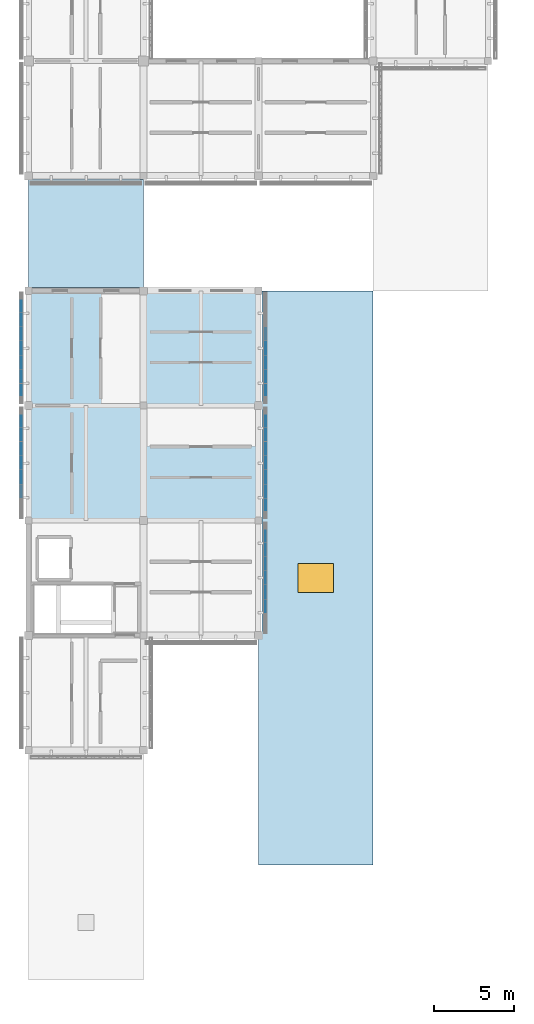
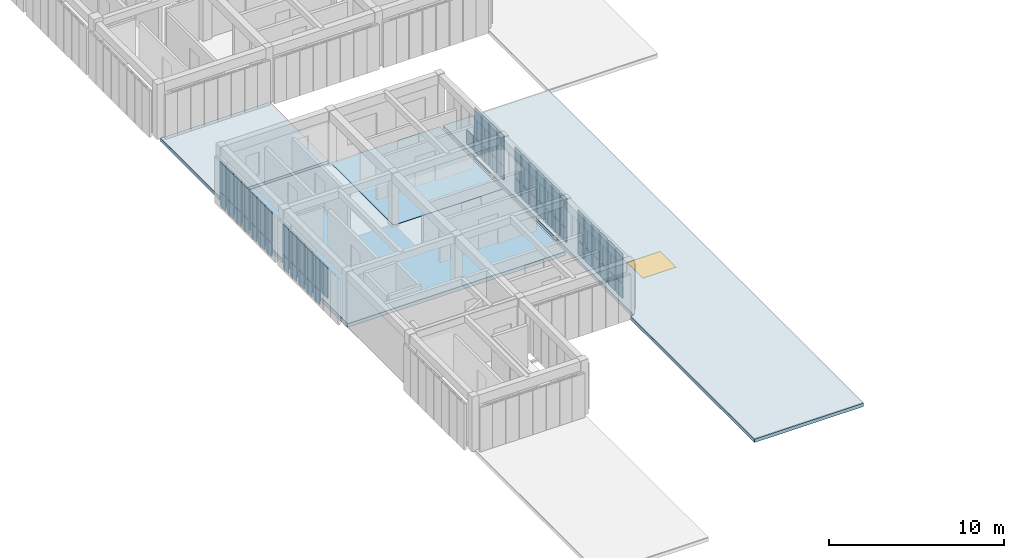
# One storey, part 36 of 67: 60 plates, 4 slabs, 1 window, 1 opening, 5 elements without a shape of their own.
"""IFC4 building model written with IfcOpenShell, lengths in metres."""

from ifc_helpers import new_model, si_unit, direction, frame, origin, origin_2d, place, context, subcontext, project, spatial, polyline, rectangle, outline, extrude, material, layer, layer_set, type_object, element, fill, aggregate, save


model = new_model("IFC4")

# Units and contexts
model_context = context("Model", 3, precision=1e-05, world=origin(), true_north=direction((0.0, 1.0)))
body_context = subcontext(model_context, "Body", "Model", "MODEL_VIEW")
ifc_project = project(units=[si_unit("LENGTHUNIT", "METRE"), si_unit("AREAUNIT", "SQUARE_METRE"), si_unit("VOLUMEUNIT", "CUBIC_METRE"), si_unit("PLANEANGLEUNIT", "RADIAN"), si_unit("MASSUNIT", "GRAM", prefix="KILO")], contexts=[model_context])

# Site, building, storey
site_placement = place(None, origin())
site = spatial("IfcSite", under=ifc_project, at=site_placement, CompositionType="ELEMENT")
building_placement = place(site_placement, origin())
building = spatial("IfcBuilding", under=site, at=building_placement, Name="Aldebral Square Health Centre", CompositionType="ELEMENT")
storey_placement = place(building_placement, frame((0.0, 0.0, 13.5)))
storey = spatial("IfcBuildingStorey", under=building, at=storey_placement, Name="L03", CompositionType="ELEMENT", Elevation=13.5)

# Curtain wall, plates
ifc_material_1 = material(Name="Aluminium and low-E solar glass", Category="aluminium")
curtain_wall_type = type_object("IfcCurtainWallType", Name="CW-FIN-SYS", PredefinedType="USERDEFINED", material=ifc_material_1)
curtain_wall_1_placement = place(storey_placement, origin())
curtain_wall_1 = element("IfcCurtainWall", 1, at=curtain_wall_1_placement, inside=storey, type_object=curtain_wall_type, Name="L03 V6 finned curtain wall L03-V6-01-04-E", ObjectType="SOLAR_CURTAIN_WALL", PredefinedType="USERDEFINED")
ifc_material_2 = material(Name="Solar-control low-E double glass", Category="glass")
ifc_layer_1 = layer(ifc_material_2, 0.030029296875, Name="Solar-control low-E double glass", Category="glass")
ifc_layer_set_1 = layer_set([ifc_layer_1], Name="Solar-control low-E double glass")
plate_type_1 = type_object("IfcPlateType", Name="CWP-GLZ-2", PredefinedType="CURTAIN_PANEL", material=ifc_layer_set_1)
plate_1_placement = place(storey_placement, frame((14.860107421875, 30.6171875, 0.074951171875), z_axis=(0.0, 0.0, 1.0), x_axis=(0.0, 1.0, 0.0)))
plate_1 = element("IfcPlate", 2, at=plate_1_placement, type_object=plate_type_1, Name="CW1 panel 2.1", PredefinedType="CURTAIN_PANEL", context=body_context, shape_type="SweptSolid", body=[
    extrude(rectangle(XDim=0.7314453125, YDim=0.030029296875, at=origin_2d()), origin(), (0.0, 0.0, 1.0), 0.9375),
])
plate_2_placement = place(storey_placement, frame((14.860107421875, 30.6171875, 1.08740234375), z_axis=(0.0, 0.0, 1.0), x_axis=(0.0, 1.0, 0.0)))
plate_2 = element("IfcPlate", 3, at=plate_2_placement, type_object=plate_type_1, Name="CW1 panel 2.2", PredefinedType="CURTAIN_PANEL", context=body_context, shape_type="SweptSolid", body=[
    extrude(rectangle(XDim=0.7314453125, YDim=0.030029296875, at=origin_2d()), origin(), (0.0, 0.0, 1.0), 2.077392578125),
])
plate_3_placement = place(storey_placement, frame((14.860107421875, 31.508544921875, 0.074951171875), z_axis=(0.0, 0.0, 1.0), x_axis=(0.0, 1.0, 0.0)))
plate_3 = element("IfcPlate", 4, at=plate_3_placement, type_object=plate_type_1, Name="CW1 panel 3.1", PredefinedType="CURTAIN_PANEL", context=body_context, shape_type="SweptSolid", body=[
    extrude(rectangle(XDim=0.7314453125, YDim=0.030029296875, at=origin_2d()), origin(), (0.0, 0.0, 1.0), 0.9375),
])
plate_4_placement = place(storey_placement, frame((14.860107421875, 31.508544921875, 1.08740234375), z_axis=(0.0, 0.0, 1.0), x_axis=(0.0, 1.0, 0.0)))
plate_4 = element("IfcPlate", 5, at=plate_4_placement, type_object=plate_type_1, Name="CW1 panel 3.2", PredefinedType="CURTAIN_PANEL", context=body_context, shape_type="SweptSolid", body=[
    extrude(rectangle(XDim=0.7314453125, YDim=0.030029296875, at=origin_2d()), origin(), (0.0, 0.0, 1.0), 2.077392578125),
])
plate_5_placement = place(storey_placement, frame((14.860107421875, 32.39990234375, 0.074951171875), z_axis=(0.0, 0.0, 1.0), x_axis=(0.0, 1.0, 0.0)))
plate_5 = element("IfcPlate", 6, at=plate_5_placement, type_object=plate_type_1, Name="CW1 panel 4.1", PredefinedType="CURTAIN_PANEL", context=body_context, shape_type="SweptSolid", body=[
    extrude(rectangle(XDim=0.7314453125, YDim=0.030029296875, at=origin_2d()), origin(), (0.0, 0.0, 1.0), 0.9375),
])
plate_6_placement = place(storey_placement, frame((14.860107421875, 32.39990234375, 1.08740234375), z_axis=(0.0, 0.0, 1.0), x_axis=(0.0, 1.0, 0.0)))
plate_6 = element("IfcPlate", 7, at=plate_6_placement, type_object=plate_type_1, Name="CW1 panel 4.2", PredefinedType="CURTAIN_PANEL", context=body_context, shape_type="SweptSolid", body=[
    extrude(rectangle(XDim=0.7314453125, YDim=0.030029296875, at=origin_2d()), origin(), (0.0, 0.0, 1.0), 2.077392578125),
])
plate_7_placement = place(storey_placement, frame((14.860107421875, 33.29150390625, 0.074951171875), z_axis=(0.0, 0.0, 1.0), x_axis=(0.0, 1.0, 0.0)))
plate_7 = element("IfcPlate", 8, at=plate_7_placement, type_object=plate_type_1, Name="CW1 panel 5.1", PredefinedType="CURTAIN_PANEL", context=body_context, shape_type="SweptSolid", body=[
    extrude(rectangle(XDim=0.7314453125, YDim=0.030029296875, at=origin_2d()), origin(), (0.0, 0.0, 1.0), 0.9375),
])
plate_8_placement = place(storey_placement, frame((14.860107421875, 33.29150390625, 1.08740234375), z_axis=(0.0, 0.0, 1.0), x_axis=(0.0, 1.0, 0.0)))
plate_8 = element("IfcPlate", 9, at=plate_8_placement, type_object=plate_type_1, Name="CW1 panel 5.2", PredefinedType="CURTAIN_PANEL", context=body_context, shape_type="SweptSolid", body=[
    extrude(rectangle(XDim=0.7314453125, YDim=0.030029296875, at=origin_2d()), origin(), (0.0, 0.0, 1.0), 2.077392578125),
])
plate_9_placement = place(storey_placement, frame((14.860107421875, 34.182861328125, 0.074951171875), z_axis=(0.0, 0.0, 1.0), x_axis=(0.0, 1.0, 0.0)))
plate_9 = element("IfcPlate", 10, at=plate_9_placement, type_object=plate_type_1, Name="CW1 panel 6.1", PredefinedType="CURTAIN_PANEL", context=body_context, shape_type="SweptSolid", body=[
    extrude(rectangle(XDim=0.7314453125, YDim=0.030029296875, at=origin_2d()), origin(), (0.0, 0.0, 1.0), 0.9375),
])
plate_10_placement = place(storey_placement, frame((14.860107421875, 34.182861328125, 1.08740234375), z_axis=(0.0, 0.0, 1.0), x_axis=(0.0, 1.0, 0.0)))
plate_10 = element("IfcPlate", 11, at=plate_10_placement, type_object=plate_type_1, Name="CW1 panel 6.2", PredefinedType="CURTAIN_PANEL", context=body_context, shape_type="SweptSolid", body=[
    extrude(rectangle(XDim=0.7314453125, YDim=0.030029296875, at=origin_2d()), origin(), (0.0, 0.0, 1.0), 2.077392578125),
])
plate_11_placement = place(storey_placement, frame((14.860107421875, 35.0341796875, 0.074951171875), z_axis=(0.0, 0.0, 1.0), x_axis=(0.0, 1.0, 0.0)))
plate_11 = element("IfcPlate", 12, at=plate_11_placement, type_object=plate_type_1, Name="CW1 panel 7.1", PredefinedType="CURTAIN_PANEL", context=body_context, shape_type="SweptSolid", body=[
    extrude(rectangle(XDim=0.6513671875, YDim=0.030029296875, at=origin_2d()), origin(), (0.0, 0.0, 1.0), 0.9375),
])
plate_12_placement = place(storey_placement, frame((14.860107421875, 35.0341796875, 1.08740234375), z_axis=(0.0, 0.0, 1.0), x_axis=(0.0, 1.0, 0.0)))
plate_12 = element("IfcPlate", 13, at=plate_12_placement, type_object=plate_type_1, Name="CW1 panel 7.2", PredefinedType="CURTAIN_PANEL", context=body_context, shape_type="SweptSolid", body=[
    extrude(rectangle(XDim=0.6513671875, YDim=0.030029296875, at=origin_2d()), origin(), (0.0, 0.0, 1.0), 2.077392578125),
])
aggregate(curtain_wall_1, [plate_1, plate_2, plate_3, plate_4, plate_5, plate_6, plate_7, plate_8, plate_9, plate_10, plate_11, plate_12])

curtain_wall_2_placement = place(storey_placement, origin())
curtain_wall_2 = element("IfcCurtainWall", 14, at=curtain_wall_2_placement, inside=storey, type_object=curtain_wall_type, Name="L03 V6 finned curtain wall L03-V6-00-05-W", ObjectType="SOLAR_CURTAIN_WALL", PredefinedType="USERDEFINED")
ifc_layer_2 = layer(ifc_material_2, 0.0400390625, Name="Solar-control low-E double glass", Category="glass")
ifc_layer_set_2 = layer_set([ifc_layer_2], Name="Solar-control low-E double glass")
plate_type_2 = type_object("IfcPlateType", Name="CWP-GLZ-3", PredefinedType="CURTAIN_PANEL", material=ifc_layer_set_2)
plate_13_placement = place(storey_placement, frame((-0.4599609375, 42.234375, 0.074951171875), z_axis=(0.0, 0.0, 1.0), x_axis=(0.0, -1.0, 0.0)))
plate_13 = element("IfcPlate", 15, at=plate_13_placement, type_object=plate_type_2, Name="CW1 panel 1.1", PredefinedType="CURTAIN_PANEL", context=body_context, shape_type="SweptSolid", body=[
    extrude(rectangle(XDim=0.6513671875, YDim=0.0400390625, at=origin_2d()), origin(), (0.0, 0.0, 1.0), 0.9375),
])
plate_14_placement = place(storey_placement, frame((-0.4599609375, 42.234375, 1.08740234375), z_axis=(0.0, 0.0, 1.0), x_axis=(0.0, -1.0, 0.0)))
plate_14 = element("IfcPlate", 16, at=plate_14_placement, type_object=plate_type_2, Name="CW1 panel 1.2", PredefinedType="CURTAIN_PANEL", context=body_context, shape_type="SweptSolid", body=[
    extrude(rectangle(XDim=0.6513671875, YDim=0.0400390625, at=origin_2d()), origin(), (0.0, 0.0, 1.0), 2.077392578125),
])
plate_15_placement = place(storey_placement, frame((-0.4599609375, 41.3828125, 0.074951171875), z_axis=(0.0, 0.0, 1.0), x_axis=(0.0, -1.0, 0.0)))
plate_15 = element("IfcPlate", 17, at=plate_15_placement, type_object=plate_type_2, Name="CW1 panel 2.1", PredefinedType="CURTAIN_PANEL", context=body_context, shape_type="SweptSolid", body=[
    extrude(rectangle(XDim=0.7314453125, YDim=0.0400390625, at=origin_2d()), origin(), (0.0, 0.0, 1.0), 0.9375),
])
plate_16_placement = place(storey_placement, frame((-0.4599609375, 41.3828125, 1.08740234375), z_axis=(0.0, 0.0, 1.0), x_axis=(0.0, -1.0, 0.0)))
plate_16 = element("IfcPlate", 18, at=plate_16_placement, type_object=plate_type_2, Name="CW1 panel 2.2", PredefinedType="CURTAIN_PANEL", context=body_context, shape_type="SweptSolid", body=[
    extrude(rectangle(XDim=0.7314453125, YDim=0.0400390625, at=origin_2d()), origin(), (0.0, 0.0, 1.0), 2.077392578125),
])
plate_17_placement = place(storey_placement, frame((-0.4599609375, 40.491455078125, 0.074951171875), z_axis=(0.0, 0.0, 1.0), x_axis=(0.0, -1.0, 0.0)))
plate_17 = element("IfcPlate", 19, at=plate_17_placement, type_object=plate_type_2, Name="CW1 panel 3.1", PredefinedType="CURTAIN_PANEL", context=body_context, shape_type="SweptSolid", body=[
    extrude(rectangle(XDim=0.7314453125, YDim=0.0400390625, at=origin_2d()), origin(), (0.0, 0.0, 1.0), 0.9375),
])
plate_18_placement = place(storey_placement, frame((-0.4599609375, 40.491455078125, 1.08740234375), z_axis=(0.0, 0.0, 1.0), x_axis=(0.0, -1.0, 0.0)))
plate_18 = element("IfcPlate", 20, at=plate_18_placement, type_object=plate_type_2, Name="CW1 panel 3.2", PredefinedType="CURTAIN_PANEL", context=body_context, shape_type="SweptSolid", body=[
    extrude(rectangle(XDim=0.7314453125, YDim=0.0400390625, at=origin_2d()), origin(), (0.0, 0.0, 1.0), 2.077392578125),
])
plate_19_placement = place(storey_placement, frame((-0.4599609375, 39.60009765625, 0.074951171875), z_axis=(0.0, 0.0, 1.0), x_axis=(0.0, -1.0, 0.0)))
plate_19 = element("IfcPlate", 21, at=plate_19_placement, type_object=plate_type_2, Name="CW1 panel 4.1", PredefinedType="CURTAIN_PANEL", context=body_context, shape_type="SweptSolid", body=[
    extrude(rectangle(XDim=0.7314453125, YDim=0.0400390625, at=origin_2d()), origin(), (0.0, 0.0, 1.0), 0.9375),
])
plate_20_placement = place(storey_placement, frame((-0.4599609375, 39.60009765625, 1.08740234375), z_axis=(0.0, 0.0, 1.0), x_axis=(0.0, -1.0, 0.0)))
plate_20 = element("IfcPlate", 22, at=plate_20_placement, type_object=plate_type_2, Name="CW1 panel 4.2", PredefinedType="CURTAIN_PANEL", context=body_context, shape_type="SweptSolid", body=[
    extrude(rectangle(XDim=0.7314453125, YDim=0.0400390625, at=origin_2d()), origin(), (0.0, 0.0, 1.0), 2.077392578125),
])
plate_21_placement = place(storey_placement, frame((-0.4599609375, 38.70849609375, 0.074951171875), z_axis=(0.0, 0.0, 1.0), x_axis=(0.0, -1.0, 0.0)))
plate_21 = element("IfcPlate", 23, at=plate_21_placement, type_object=plate_type_2, Name="CW1 panel 5.1", PredefinedType="CURTAIN_PANEL", context=body_context, shape_type="SweptSolid", body=[
    extrude(rectangle(XDim=0.7314453125, YDim=0.0400390625, at=origin_2d()), origin(), (0.0, 0.0, 1.0), 0.9375),
])
plate_22_placement = place(storey_placement, frame((-0.4599609375, 38.70849609375, 1.08740234375), z_axis=(0.0, 0.0, 1.0), x_axis=(0.0, -1.0, 0.0)))
plate_22 = element("IfcPlate", 24, at=plate_22_placement, type_object=plate_type_2, Name="CW1 panel 5.2", PredefinedType="CURTAIN_PANEL", context=body_context, shape_type="SweptSolid", body=[
    extrude(rectangle(XDim=0.7314453125, YDim=0.0400390625, at=origin_2d()), origin(), (0.0, 0.0, 1.0), 2.077392578125),
])
plate_23_placement = place(storey_placement, frame((-0.4599609375, 37.817138671875, 1.08740234375), z_axis=(0.0, 0.0, 1.0), x_axis=(0.0, -1.0, 0.0)))
plate_23 = element("IfcPlate", 25, at=plate_23_placement, type_object=plate_type_2, Name="CW1 panel 6.2", PredefinedType="CURTAIN_PANEL", context=body_context, shape_type="SweptSolid", body=[
    extrude(rectangle(XDim=0.7314453125, YDim=0.0400390625, at=origin_2d()), origin(), (0.0, 0.0, 1.0), 2.077392578125),
])
aggregate(curtain_wall_2, [plate_13, plate_14, plate_15, plate_16, plate_17, plate_18, plate_19, plate_20, plate_21, plate_22, plate_23])

curtain_wall_3_placement = place(storey_placement, origin())
curtain_wall_3 = element("IfcCurtainWall", 26, at=curtain_wall_3_placement, inside=storey, type_object=curtain_wall_type, Name="L03 V6 finned curtain wall L03-V6-01-05-E", ObjectType="SOLAR_CURTAIN_WALL", PredefinedType="USERDEFINED")
plate_24_placement = place(storey_placement, frame((14.860107421875, 36.9658203125, 0.074951171875), z_axis=(0.0, 0.0, 1.0), x_axis=(0.0, 1.0, 0.0)))
plate_24 = element("IfcPlate", 27, at=plate_24_placement, type_object=plate_type_2, Name="CW1 panel 1.1", PredefinedType="CURTAIN_PANEL", context=body_context, shape_type="SweptSolid", body=[
    extrude(rectangle(XDim=0.6513671875, YDim=0.0400390625, at=origin_2d()), origin(), (0.0, 0.0, 1.0), 0.9375),
])
plate_25_placement = place(storey_placement, frame((14.860107421875, 36.9658203125, 1.08740234375), z_axis=(0.0, 0.0, 1.0), x_axis=(0.0, 1.0, 0.0)))
plate_25 = element("IfcPlate", 28, at=plate_25_placement, type_object=plate_type_2, Name="CW1 panel 1.2", PredefinedType="CURTAIN_PANEL", context=body_context, shape_type="SweptSolid", body=[
    extrude(rectangle(XDim=0.6513671875, YDim=0.0400390625, at=origin_2d()), origin(), (0.0, 0.0, 1.0), 2.077392578125),
])
plate_26_placement = place(storey_placement, frame((14.860107421875, 37.817138671875, 0.074951171875), z_axis=(0.0, 0.0, 1.0), x_axis=(0.0, 1.0, 0.0)))
plate_26 = element("IfcPlate", 29, at=plate_26_placement, type_object=plate_type_2, Name="CW1 panel 2.1", PredefinedType="CURTAIN_PANEL", context=body_context, shape_type="SweptSolid", body=[
    extrude(rectangle(XDim=0.7314453125, YDim=0.0400390625, at=origin_2d()), origin(), (0.0, 0.0, 1.0), 0.9375),
])
plate_27_placement = place(storey_placement, frame((14.860107421875, 37.817138671875, 1.08740234375), z_axis=(0.0, 0.0, 1.0), x_axis=(0.0, 1.0, 0.0)))
plate_27 = element("IfcPlate", 30, at=plate_27_placement, type_object=plate_type_2, Name="CW1 panel 2.2", PredefinedType="CURTAIN_PANEL", context=body_context, shape_type="SweptSolid", body=[
    extrude(rectangle(XDim=0.7314453125, YDim=0.0400390625, at=origin_2d()), origin(), (0.0, 0.0, 1.0), 2.077392578125),
])
plate_28_placement = place(storey_placement, frame((14.860107421875, 38.70849609375, 0.074951171875), z_axis=(0.0, 0.0, 1.0), x_axis=(0.0, 1.0, 0.0)))
plate_28 = element("IfcPlate", 31, at=plate_28_placement, type_object=plate_type_2, Name="CW1 panel 3.1", PredefinedType="CURTAIN_PANEL", context=body_context, shape_type="SweptSolid", body=[
    extrude(rectangle(XDim=0.7314453125, YDim=0.0400390625, at=origin_2d()), origin(), (0.0, 0.0, 1.0), 0.9375),
])
plate_29_placement = place(storey_placement, frame((14.860107421875, 38.70849609375, 1.08740234375), z_axis=(0.0, 0.0, 1.0), x_axis=(0.0, 1.0, 0.0)))
plate_29 = element("IfcPlate", 32, at=plate_29_placement, type_object=plate_type_2, Name="CW1 panel 3.2", PredefinedType="CURTAIN_PANEL", context=body_context, shape_type="SweptSolid", body=[
    extrude(rectangle(XDim=0.7314453125, YDim=0.0400390625, at=origin_2d()), origin(), (0.0, 0.0, 1.0), 2.077392578125),
])
plate_30_placement = place(storey_placement, frame((14.860107421875, 39.60009765625, 0.074951171875), z_axis=(0.0, 0.0, 1.0), x_axis=(0.0, 1.0, 0.0)))
plate_30 = element("IfcPlate", 33, at=plate_30_placement, type_object=plate_type_2, Name="CW1 panel 4.1", PredefinedType="CURTAIN_PANEL", context=body_context, shape_type="SweptSolid", body=[
    extrude(rectangle(XDim=0.7314453125, YDim=0.0400390625, at=origin_2d()), origin(), (0.0, 0.0, 1.0), 0.9375),
])
plate_31_placement = place(storey_placement, frame((14.860107421875, 39.60009765625, 1.08740234375), z_axis=(0.0, 0.0, 1.0), x_axis=(0.0, 1.0, 0.0)))
plate_31 = element("IfcPlate", 34, at=plate_31_placement, type_object=plate_type_2, Name="CW1 panel 4.2", PredefinedType="CURTAIN_PANEL", context=body_context, shape_type="SweptSolid", body=[
    extrude(rectangle(XDim=0.7314453125, YDim=0.0400390625, at=origin_2d()), origin(), (0.0, 0.0, 1.0), 2.077392578125),
])
plate_32_placement = place(storey_placement, frame((14.860107421875, 40.491455078125, 0.074951171875), z_axis=(0.0, 0.0, 1.0), x_axis=(0.0, 1.0, 0.0)))
plate_32 = element("IfcPlate", 35, at=plate_32_placement, type_object=plate_type_2, Name="CW1 panel 5.1", PredefinedType="CURTAIN_PANEL", context=body_context, shape_type="SweptSolid", body=[
    extrude(rectangle(XDim=0.7314453125, YDim=0.0400390625, at=origin_2d()), origin(), (0.0, 0.0, 1.0), 0.9375),
])
plate_33_placement = place(storey_placement, frame((14.860107421875, 40.491455078125, 1.08740234375), z_axis=(0.0, 0.0, 1.0), x_axis=(0.0, 1.0, 0.0)))
plate_33 = element("IfcPlate", 36, at=plate_33_placement, type_object=plate_type_2, Name="CW1 panel 5.2", PredefinedType="CURTAIN_PANEL", context=body_context, shape_type="SweptSolid", body=[
    extrude(rectangle(XDim=0.7314453125, YDim=0.0400390625, at=origin_2d()), origin(), (0.0, 0.0, 1.0), 2.077392578125),
])
plate_34_placement = place(storey_placement, frame((14.860107421875, 41.3828125, 0.074951171875), z_axis=(0.0, 0.0, 1.0), x_axis=(0.0, 1.0, 0.0)))
plate_34 = element("IfcPlate", 37, at=plate_34_placement, type_object=plate_type_2, Name="CW1 panel 6.1", PredefinedType="CURTAIN_PANEL", context=body_context, shape_type="SweptSolid", body=[
    extrude(rectangle(XDim=0.7314453125, YDim=0.0400390625, at=origin_2d()), origin(), (0.0, 0.0, 1.0), 0.9375),
])
plate_35_placement = place(storey_placement, frame((14.860107421875, 41.3828125, 1.08740234375), z_axis=(0.0, 0.0, 1.0), x_axis=(0.0, 1.0, 0.0)))
plate_35 = element("IfcPlate", 38, at=plate_35_placement, type_object=plate_type_2, Name="CW1 panel 6.2", PredefinedType="CURTAIN_PANEL", context=body_context, shape_type="SweptSolid", body=[
    extrude(rectangle(XDim=0.7314453125, YDim=0.0400390625, at=origin_2d()), origin(), (0.0, 0.0, 1.0), 2.077392578125),
])
plate_36_placement = place(storey_placement, frame((14.860107421875, 42.234375, 0.074951171875), z_axis=(0.0, 0.0, 1.0), x_axis=(0.0, 1.0, 0.0)))
plate_36 = element("IfcPlate", 39, at=plate_36_placement, type_object=plate_type_2, Name="CW1 panel 7.1", PredefinedType="CURTAIN_PANEL", context=body_context, shape_type="SweptSolid", body=[
    extrude(rectangle(XDim=0.6513671875, YDim=0.0400390625, at=origin_2d()), origin(), (0.0, 0.0, 1.0), 0.9375),
])
plate_37_placement = place(storey_placement, frame((14.860107421875, 42.234375, 1.08740234375), z_axis=(0.0, 0.0, 1.0), x_axis=(0.0, 1.0, 0.0)))
plate_37 = element("IfcPlate", 40, at=plate_37_placement, type_object=plate_type_2, Name="CW1 panel 7.2", PredefinedType="CURTAIN_PANEL", context=body_context, shape_type="SweptSolid", body=[
    extrude(rectangle(XDim=0.6513671875, YDim=0.0400390625, at=origin_2d()), origin(), (0.0, 0.0, 1.0), 2.077392578125),
])
aggregate(curtain_wall_3, [plate_24, plate_25, plate_26, plate_27, plate_28, plate_29, plate_30, plate_31, plate_32, plate_33, plate_34, plate_35, plate_36, plate_37])

curtain_wall_4_placement = place(storey_placement, origin())
curtain_wall_4 = element("IfcCurtainWall", 41, at=curtain_wall_4_placement, inside=storey, type_object=curtain_wall_type, Name="L03 V6 finned curtain wall L03-V6-00-06-W", ObjectType="SOLAR_CURTAIN_WALL", PredefinedType="USERDEFINED")
ifc_layer_3 = layer(ifc_material_2, 0.050048828125, Name="Solar-control low-E double glass", Category="glass")
ifc_layer_set_3 = layer_set([ifc_layer_3], Name="Solar-control low-E double glass")
plate_type_3 = type_object("IfcPlateType", Name="CWP-GLZ-4", PredefinedType="CURTAIN_PANEL", material=ifc_layer_set_3)
plate_38_placement = place(storey_placement, frame((-0.4599609375, 49.434326171875, 0.074951171875), z_axis=(0.0, 0.0, 1.0), x_axis=(0.0, -1.0, 0.0)))
plate_38 = element("IfcPlate", 42, at=plate_38_placement, type_object=plate_type_3, Name="CW1 panel 1.1", PredefinedType="CURTAIN_PANEL", context=body_context, shape_type="SweptSolid", body=[
    extrude(rectangle(XDim=0.6513671875, YDim=0.050048828125, at=origin_2d()), origin(), (0.0, 0.0, 1.0), 0.9375),
])
plate_39_placement = place(storey_placement, frame((-0.4599609375, 49.434326171875, 1.08740234375), z_axis=(0.0, 0.0, 1.0), x_axis=(0.0, -1.0, 0.0)))
plate_39 = element("IfcPlate", 43, at=plate_39_placement, type_object=plate_type_3, Name="CW1 panel 1.2", PredefinedType="CURTAIN_PANEL", context=body_context, shape_type="SweptSolid", body=[
    extrude(rectangle(XDim=0.6513671875, YDim=0.050048828125, at=origin_2d()), origin(), (0.0, 0.0, 1.0), 2.077392578125),
])
plate_40_placement = place(storey_placement, frame((-0.4599609375, 48.582763671875, 0.074951171875), z_axis=(0.0, 0.0, 1.0), x_axis=(0.0, -1.0, 0.0)))
plate_40 = element("IfcPlate", 44, at=plate_40_placement, type_object=plate_type_3, Name="CW1 panel 2.1", PredefinedType="CURTAIN_PANEL", context=body_context, shape_type="SweptSolid", body=[
    extrude(rectangle(XDim=0.7314453125, YDim=0.050048828125, at=origin_2d()), origin(), (0.0, 0.0, 1.0), 0.9375),
])
plate_41_placement = place(storey_placement, frame((-0.4599609375, 48.582763671875, 1.08740234375), z_axis=(0.0, 0.0, 1.0), x_axis=(0.0, -1.0, 0.0)))
plate_41 = element("IfcPlate", 45, at=plate_41_placement, type_object=plate_type_3, Name="CW1 panel 2.2", PredefinedType="CURTAIN_PANEL", context=body_context, shape_type="SweptSolid", body=[
    extrude(rectangle(XDim=0.7314453125, YDim=0.050048828125, at=origin_2d()), origin(), (0.0, 0.0, 1.0), 2.077392578125),
])
plate_42_placement = place(storey_placement, frame((-0.4599609375, 47.69140625, 0.074951171875), z_axis=(0.0, 0.0, 1.0), x_axis=(0.0, -1.0, 0.0)))
plate_42 = element("IfcPlate", 46, at=plate_42_placement, type_object=plate_type_3, Name="CW1 panel 3.1", PredefinedType="CURTAIN_PANEL", context=body_context, shape_type="SweptSolid", body=[
    extrude(rectangle(XDim=0.7314453125, YDim=0.050048828125, at=origin_2d()), origin(), (0.0, 0.0, 1.0), 0.9375),
])
plate_43_placement = place(storey_placement, frame((-0.4599609375, 47.69140625, 1.08740234375), z_axis=(0.0, 0.0, 1.0), x_axis=(0.0, -1.0, 0.0)))
plate_43 = element("IfcPlate", 47, at=plate_43_placement, type_object=plate_type_3, Name="CW1 panel 3.2", PredefinedType="CURTAIN_PANEL", context=body_context, shape_type="SweptSolid", body=[
    extrude(rectangle(XDim=0.7314453125, YDim=0.050048828125, at=origin_2d()), origin(), (0.0, 0.0, 1.0), 2.077392578125),
])
plate_44_placement = place(storey_placement, frame((-0.4599609375, 46.800048828125, 0.074951171875), z_axis=(0.0, 0.0, 1.0), x_axis=(0.0, -1.0, 0.0)))
plate_44 = element("IfcPlate", 48, at=plate_44_placement, type_object=plate_type_3, Name="CW1 panel 4.1", PredefinedType="CURTAIN_PANEL", context=body_context, shape_type="SweptSolid", body=[
    extrude(rectangle(XDim=0.7314453125, YDim=0.050048828125, at=origin_2d()), origin(), (0.0, 0.0, 1.0), 0.9375),
])
plate_45_placement = place(storey_placement, frame((-0.4599609375, 46.800048828125, 1.08740234375), z_axis=(0.0, 0.0, 1.0), x_axis=(0.0, -1.0, 0.0)))
plate_45 = element("IfcPlate", 49, at=plate_45_placement, type_object=plate_type_3, Name="CW1 panel 4.2", PredefinedType="CURTAIN_PANEL", context=body_context, shape_type="SweptSolid", body=[
    extrude(rectangle(XDim=0.7314453125, YDim=0.050048828125, at=origin_2d()), origin(), (0.0, 0.0, 1.0), 2.077392578125),
])
plate_46_placement = place(storey_placement, frame((-0.4599609375, 45.90869140625, 0.074951171875), z_axis=(0.0, 0.0, 1.0), x_axis=(0.0, -1.0, 0.0)))
plate_46 = element("IfcPlate", 50, at=plate_46_placement, type_object=plate_type_3, Name="CW1 panel 5.1", PredefinedType="CURTAIN_PANEL", context=body_context, shape_type="SweptSolid", body=[
    extrude(rectangle(XDim=0.7314453125, YDim=0.050048828125, at=origin_2d()), origin(), (0.0, 0.0, 1.0), 0.9375),
])
plate_47_placement = place(storey_placement, frame((-0.4599609375, 45.90869140625, 1.08740234375), z_axis=(0.0, 0.0, 1.0), x_axis=(0.0, -1.0, 0.0)))
plate_47 = element("IfcPlate", 51, at=plate_47_placement, type_object=plate_type_3, Name="CW1 panel 5.2", PredefinedType="CURTAIN_PANEL", context=body_context, shape_type="SweptSolid", body=[
    extrude(rectangle(XDim=0.7314453125, YDim=0.050048828125, at=origin_2d()), origin(), (0.0, 0.0, 1.0), 2.077392578125),
])
plate_48_placement = place(storey_placement, frame((-0.4599609375, 45.01708984375, 0.074951171875), z_axis=(0.0, 0.0, 1.0), x_axis=(0.0, -1.0, 0.0)))
plate_48 = element("IfcPlate", 52, at=plate_48_placement, type_object=plate_type_3, Name="CW1 panel 6.1", PredefinedType="CURTAIN_PANEL", context=body_context, shape_type="SweptSolid", body=[
    extrude(rectangle(XDim=0.7314453125, YDim=0.050048828125, at=origin_2d()), origin(), (0.0, 0.0, 1.0), 0.9375),
])
plate_49_placement = place(storey_placement, frame((-0.4599609375, 45.01708984375, 1.08740234375), z_axis=(0.0, 0.0, 1.0), x_axis=(0.0, -1.0, 0.0)))
plate_49 = element("IfcPlate", 53, at=plate_49_placement, type_object=plate_type_3, Name="CW1 panel 6.2", PredefinedType="CURTAIN_PANEL", context=body_context, shape_type="SweptSolid", body=[
    extrude(rectangle(XDim=0.7314453125, YDim=0.050048828125, at=origin_2d()), origin(), (0.0, 0.0, 1.0), 2.077392578125),
])
plate_50_placement = place(storey_placement, frame((-0.4599609375, 44.165771484375, 0.074951171875), z_axis=(0.0, 0.0, 1.0), x_axis=(0.0, -1.0, 0.0)))
plate_50 = element("IfcPlate", 54, at=plate_50_placement, type_object=plate_type_3, Name="CW1 panel 7.1", PredefinedType="CURTAIN_PANEL", context=body_context, shape_type="SweptSolid", body=[
    extrude(rectangle(XDim=0.6513671875, YDim=0.050048828125, at=origin_2d()), origin(), (0.0, 0.0, 1.0), 0.9375),
])
plate_51_placement = place(storey_placement, frame((-0.4599609375, 44.165771484375, 1.08740234375), z_axis=(0.0, 0.0, 1.0), x_axis=(0.0, -1.0, 0.0)))
plate_51 = element("IfcPlate", 55, at=plate_51_placement, type_object=plate_type_3, Name="CW1 panel 7.2", PredefinedType="CURTAIN_PANEL", context=body_context, shape_type="SweptSolid", body=[
    extrude(rectangle(XDim=0.6513671875, YDim=0.050048828125, at=origin_2d()), origin(), (0.0, 0.0, 1.0), 2.077392578125),
])
aggregate(curtain_wall_4, [plate_38, plate_39, plate_40, plate_41, plate_42, plate_43, plate_44, plate_45, plate_46, plate_47, plate_48, plate_49, plate_50, plate_51])

curtain_wall_5_placement = place(storey_placement, origin())
curtain_wall_5 = element("IfcCurtainWall", 56, at=curtain_wall_5_placement, inside=storey, type_object=curtain_wall_type, Name="L03 V6 finned curtain wall L03-V6-01-06-E", ObjectType="SOLAR_CURTAIN_WALL", PredefinedType="USERDEFINED")
plate_52_placement = place(storey_placement, frame((14.860107421875, 44.165771484375, 0.074951171875), z_axis=(0.0, 0.0, 1.0), x_axis=(0.0, 1.0, 0.0)))
plate_52 = element("IfcPlate", 57, at=plate_52_placement, type_object=plate_type_3, Name="CW1 panel 1.1", PredefinedType="CURTAIN_PANEL", context=body_context, shape_type="SweptSolid", body=[
    extrude(rectangle(XDim=0.6513671875, YDim=0.050048828125, at=origin_2d()), origin(), (0.0, 0.0, 1.0), 0.9375),
])
plate_53_placement = place(storey_placement, frame((14.860107421875, 44.165771484375, 1.08740234375), z_axis=(0.0, 0.0, 1.0), x_axis=(0.0, 1.0, 0.0)))
plate_53 = element("IfcPlate", 58, at=plate_53_placement, type_object=plate_type_3, Name="CW1 panel 1.2", PredefinedType="CURTAIN_PANEL", context=body_context, shape_type="SweptSolid", body=[
    extrude(rectangle(XDim=0.6513671875, YDim=0.050048828125, at=origin_2d()), origin(), (0.0, 0.0, 1.0), 2.077392578125),
])
plate_54_placement = place(storey_placement, frame((14.860107421875, 45.01708984375, 0.074951171875), z_axis=(0.0, 0.0, 1.0), x_axis=(0.0, 1.0, 0.0)))
plate_54 = element("IfcPlate", 59, at=plate_54_placement, type_object=plate_type_3, Name="CW1 panel 2.1", PredefinedType="CURTAIN_PANEL", context=body_context, shape_type="SweptSolid", body=[
    extrude(rectangle(XDim=0.7314453125, YDim=0.050048828125, at=origin_2d()), origin(), (0.0, 0.0, 1.0), 0.9375),
])
plate_55_placement = place(storey_placement, frame((14.860107421875, 45.01708984375, 1.08740234375), z_axis=(0.0, 0.0, 1.0), x_axis=(0.0, 1.0, 0.0)))
plate_55 = element("IfcPlate", 60, at=plate_55_placement, type_object=plate_type_3, Name="CW1 panel 2.2", PredefinedType="CURTAIN_PANEL", context=body_context, shape_type="SweptSolid", body=[
    extrude(rectangle(XDim=0.7314453125, YDim=0.050048828125, at=origin_2d()), origin(), (0.0, 0.0, 1.0), 2.077392578125),
])
plate_56_placement = place(storey_placement, frame((14.860107421875, 45.90869140625, 0.074951171875), z_axis=(0.0, 0.0, 1.0), x_axis=(0.0, 1.0, 0.0)))
plate_56 = element("IfcPlate", 61, at=plate_56_placement, type_object=plate_type_3, Name="CW1 panel 3.1", PredefinedType="CURTAIN_PANEL", context=body_context, shape_type="SweptSolid", body=[
    extrude(rectangle(XDim=0.7314453125, YDim=0.050048828125, at=origin_2d()), origin(), (0.0, 0.0, 1.0), 0.9375),
])
plate_57_placement = place(storey_placement, frame((14.860107421875, 45.90869140625, 1.08740234375), z_axis=(0.0, 0.0, 1.0), x_axis=(0.0, 1.0, 0.0)))
plate_57 = element("IfcPlate", 62, at=plate_57_placement, type_object=plate_type_3, Name="CW1 panel 3.2", PredefinedType="CURTAIN_PANEL", context=body_context, shape_type="SweptSolid", body=[
    extrude(rectangle(XDim=0.7314453125, YDim=0.050048828125, at=origin_2d()), origin(), (0.0, 0.0, 1.0), 2.077392578125),
])
plate_58_placement = place(storey_placement, frame((14.860107421875, 46.800048828125, 0.074951171875), z_axis=(0.0, 0.0, 1.0), x_axis=(0.0, 1.0, 0.0)))
plate_58 = element("IfcPlate", 63, at=plate_58_placement, type_object=plate_type_3, Name="CW1 panel 4.1", PredefinedType="CURTAIN_PANEL", context=body_context, shape_type="SweptSolid", body=[
    extrude(rectangle(XDim=0.7314453125, YDim=0.050048828125, at=origin_2d()), origin(), (0.0, 0.0, 1.0), 0.9375),
])
plate_59_placement = place(storey_placement, frame((14.860107421875, 46.800048828125, 1.08740234375), z_axis=(0.0, 0.0, 1.0), x_axis=(0.0, 1.0, 0.0)))
plate_59 = element("IfcPlate", 64, at=plate_59_placement, type_object=plate_type_3, Name="CW1 panel 4.2", PredefinedType="CURTAIN_PANEL", context=body_context, shape_type="SweptSolid", body=[
    extrude(rectangle(XDim=0.7314453125, YDim=0.050048828125, at=origin_2d()), origin(), (0.0, 0.0, 1.0), 2.077392578125),
])
plate_60_placement = place(storey_placement, frame((14.860107421875, 47.69140625, 0.074951171875), z_axis=(0.0, 0.0, 1.0), x_axis=(0.0, 1.0, 0.0)))
plate_60 = element("IfcPlate", 65, at=plate_60_placement, type_object=plate_type_3, Name="CW1 panel 5.1", PredefinedType="CURTAIN_PANEL", context=body_context, shape_type="SweptSolid", body=[
    extrude(rectangle(XDim=0.7314453125, YDim=0.050048828125, at=origin_2d()), origin(), (0.0, 0.0, 1.0), 0.9375),
])
aggregate(curtain_wall_5, [plate_52, plate_53, plate_54, plate_55, plate_56, plate_57, plate_58, plate_59, plate_60])

# Slabs
ifc_material_3 = material(Name="Concrete C35/45", Category="concrete")
ifc_layer_4 = layer(ifc_material_3, 0.260009765625, Name="Concrete C35/45", Category="concrete")
ifc_layer_set_4 = layer_set([ifc_layer_4], Name="Concrete C35/45")
slab_type_1 = type_object("IfcSlabType", Name="SL-FLR-260", PredefinedType="FLOOR", material=ifc_layer_set_4)
slab_1_placement = place(storey_placement, frame((0.0, 0.0, -0.260009765625)))
element("IfcSlab", 66, at=slab_1_placement, inside=storey, type_object=slab_type_1, Name="L03 V6 floor slab 2", PredefinedType="FLOOR", context=body_context, shape_type="SweptSolid", body=[
    extrude(outline(polyline([(0.0, 43.199951171875), (0.0, 50.39990234375), (7.199951171875, 50.39990234375), (7.199951171875, 43.199951171875), (14.39990234375, 43.199951171875), (14.39990234375, 36.0), (7.199951171875, 36.0), (0.0, 36.0), (0.0, 43.199951171875)])), origin(), (0.0, 0.0, 1.0), 0.260009765625),
])
slab_2_placement = place(storey_placement, frame((0.0, 0.0, -0.260009765625)))
element("IfcSlab", 67, at=slab_2_placement, inside=storey, type_object=slab_type_1, Name="L03 V6 floor slab 3", PredefinedType="FLOOR", context=body_context, shape_type="SweptSolid", body=[
    extrude(outline(polyline([(7.199951171875, 43.199951171875), (7.199951171875, 50.39990234375), (14.39990234375, 50.39990234375), (14.39990234375, 43.199951171875), (7.199951171875, 43.199951171875)])), origin(), (0.0, 0.0, 1.0), 0.260009765625),
])
ifc_layer_5 = layer(ifc_material_3, 0.239990234375, Name="Concrete C35/45", Category="concrete")
ifc_layer_set_5 = layer_set([ifc_layer_5], Name="Concrete C35/45")
slab_type_2 = type_object("IfcSlabType", Name="SL-RF-240", PredefinedType="ROOF", material=ifc_layer_set_5)
slab_3_placement = place(storey_placement, frame((0.0, 0.0, -0.239990234375)))
element("IfcSlab", 68, at=slab_3_placement, inside=storey, type_object=slab_type_2, Name="L02 V4 roof slab 1", PredefinedType="ROOF", context=body_context, shape_type="SweptSolid", body=[
    extrude(outline(polyline([(0.0, 57.3798828125), (7.199951171875, 57.3798828125), (7.199951171875, 50.6201171875), (0.0, 50.6201171875), (0.0, 57.3798828125)])), origin(), (0.0, 0.0, 1.0), 0.239990234375),
])

# Slab, opening, window
slab_4_placement = place(storey_placement, frame((0.0, 0.0, -0.239990234375)))
slab_4 = element("IfcSlab", 69, at=slab_4_placement, inside=storey, type_object=slab_type_2, Name="L02 V6 roof slab 2", PredefinedType="ROOF", context=body_context, shape_type="SweptSolid", body=[
    extrude(outline(polyline([(14.39990234375, 14.39990234375), (14.39990234375, 21.60009765625), (14.39990234375, 28.580078125), (14.6201171875, 28.580078125), (14.6201171875, 50.39990234375), (21.60009765625, 50.39990234375), (21.60009765625, 43.199951171875), (21.60009765625, 36.0), (21.60009765625, 28.800048828125), (21.60009765625, 21.60009765625), (21.60009765625, 14.39990234375), (14.39990234375, 14.39990234375)])), origin(), (0.0, 0.0, 1.0), 0.239990234375),
])
opening_placement = place(slab_4_placement, frame((18.0, 32.39990234375, -0.010009765625)))
opening = element("IfcOpeningElement", 70, at=opening_placement, cuts=slab_4, Name="Opening SK03", PredefinedType="OPENING", context=body_context, shape_type="SweptSolid", body=[
    extrude(rectangle(XDim=2.199951171875, YDim=1.800048828125, at=origin_2d()), origin(), (0.0, 0.0, 1.0), 0.260009765625),
])
ifc_material_4 = material(Name="Thermally broken skylight double glazing", Category="glass")
window_type = type_object("IfcWindowType", Name="SKY-S03", PartitioningType="SINGLE_PANEL", PredefinedType="SKYLIGHT", material=ifc_material_4)
window_placement = place(slab_4_placement, frame((18.0, 32.39990234375, 0.18994140625)))
window = element("IfcWindow", 71, at=window_placement, inside=storey, type_object=window_type, Name="Clinical roof skylight SK-07", OverallHeight=1.800048828125, OverallWidth=2.199951171875, PartitioningType="SINGLE_PANEL", PredefinedType="SKYLIGHT", context=body_context, shape_type="SweptSolid", body=[
    extrude(rectangle(XDim=2.199951171875, YDim=1.800048828125, at=origin_2d()), origin(), (0.0, 0.0, 1.0), 0.050048828125),
])
fill(opening, window)

save(model, "model.ifc")
